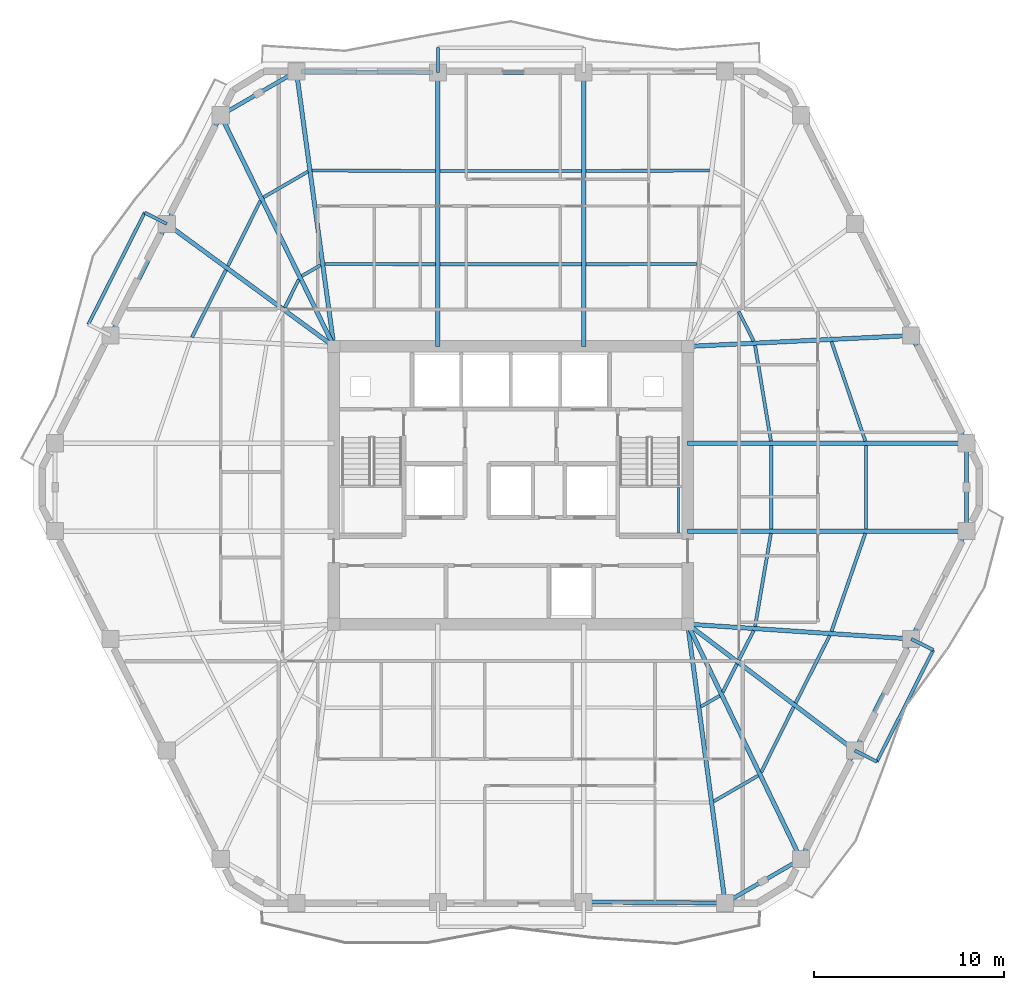
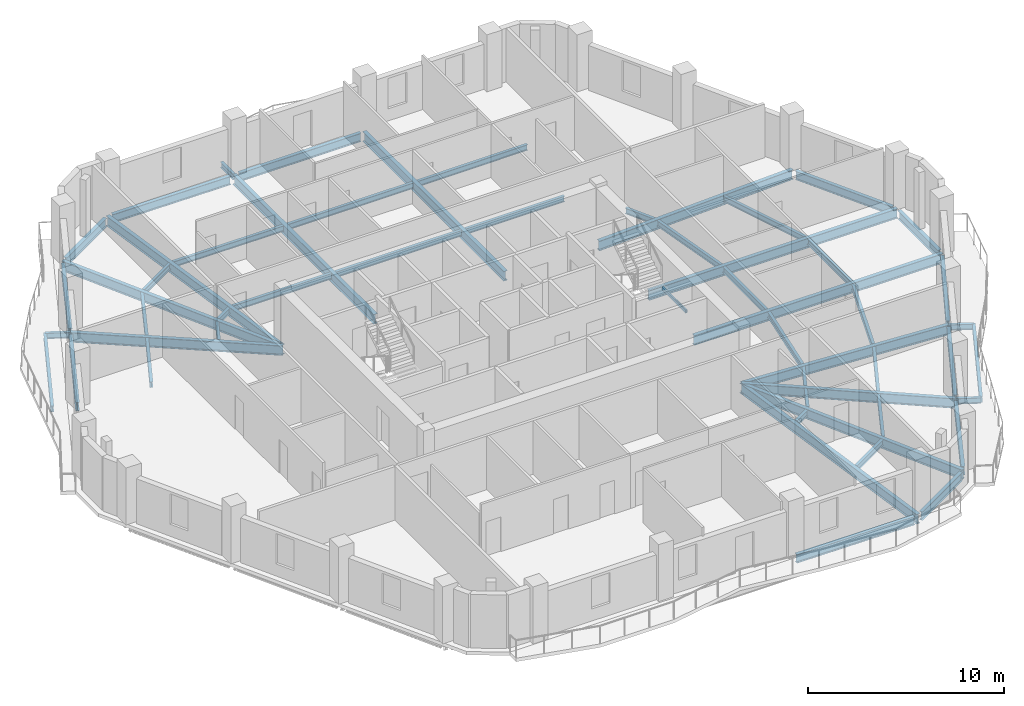
# One storey, part 2 of 10: 55 beams.
"""IFC4 building model written with IfcOpenShell, lengths in metres."""

import ifcopenshell
import ifcopenshell.guid

model = None  # the IFC model being written
_history = None  # IfcOwnerHistory: only IFC2X3 demands one
_inside = {}  # id of a spatial element -> (the spatial element, [elements in it])
_under = {}  # id of a project, library or spatial element -> (it, [spatial elements below it])
_declared = {}  # id of a project -> (the project, [libraries it declares])
_typed = {}  # id of a type object -> (the type object, [elements of that type])
_made_of = {}  # id of a material, layer set ... -> (it, [elements and type objects made of it])


def new_model(schema):
    """Start an empty IFC model of exactly this schema.

    Asked for "IFC4X3", IfcOpenShell would pick the latest addendum, in which some entities
    have other attributes; the version numbers below select the first issue.
    IFC2X3 requires an IfcOwnerHistory on every rooted entity: one is made here for all.
    """
    global model, _history
    if schema == "IFC4X3":
        model = ifcopenshell.file(schema_version=(4, 3, 0, 0))
    else:
        model = ifcopenshell.file(schema=schema)
    _inside.clear()
    _under.clear()
    _declared.clear()
    _typed.clear()
    _made_of.clear()
    _history = None
    if model.schema == "IFC2X3":
        org = make("IfcOrganization", Name="unknown")
        user = make(
            "IfcPersonAndOrganization",
            ThePerson=make("IfcPerson", FamilyName="unknown"),
            TheOrganization=org,
        )
        app = make(
            "IfcApplication",
            ApplicationDeveloper=org,
            Version="unknown",
            ApplicationFullName="unknown",
            ApplicationIdentifier="unknown",
        )
        _history = make(
            "IfcOwnerHistory",
            OwningUser=user,
            OwningApplication=app,
            ChangeAction="ADDED",
            CreationDate=0,
        )
    return model


def make(cls, **values):
    """One entity of the class cls with the attributes given. An attribute that is None is left unset."""
    return model.create_entity(
        cls, **{name: value for name, value in values.items() if value is not None}
    )


def rooted(cls, **values):
    """An entity with a GlobalId (a new one), such as an element, a storey or a relation."""
    return make(cls, GlobalId=ifcopenshell.guid.new(), OwnerHistory=_history, **values)


def si_unit(unit_type, name, prefix=None):
    """IfcSIUnit, for example si_unit("LENGTHUNIT", "METRE", prefix="MILLI")."""
    return make("IfcSIUnit", UnitType=unit_type, Prefix=prefix, Name=name)


def assignment(units):
    """IfcUnitAssignment: the units of a project."""
    return None if units is None else make("IfcUnitAssignment", Units=units)


def point(xyz):
    """IfcCartesianPoint."""
    return None if xyz is None else make("IfcCartesianPoint", Coordinates=xyz)


def direction(xyz):
    """IfcDirection."""
    return None if xyz is None else make("IfcDirection", DirectionRatios=xyz)


def frame(location, z_axis=None, x_axis=None):
    """IfcAxis2Placement3D, a coordinate frame: its origin and axes. An axis left out is left unset."""
    return make(
        "IfcAxis2Placement3D",
        Location=point(location),
        Axis=direction(z_axis),
        RefDirection=direction(x_axis),
    )


def frame_2d(location, x_axis=None):
    """IfcAxis2Placement2D, a coordinate frame in the plane: its origin and x axis."""
    return make(
        "IfcAxis2Placement2D", Location=point(location), RefDirection=direction(x_axis)
    )


def origin():
    """The frame at (0, 0, 0) with its axes left unset."""
    return frame((0.0, 0.0, 0.0))


def origin_2d():
    """The frame at (0, 0) in the plane with its x axis left unset."""
    return frame_2d((0.0, 0.0))


def place(relative_to, where):
    """IfcLocalPlacement: puts the frame where relative to a parent placement (None: the world)."""
    return make(
        "IfcLocalPlacement", PlacementRelTo=relative_to, RelativePlacement=where
    )


def context(
    kind, dimensions, precision=None, world=None, true_north=None, identifier=None
):
    """IfcGeometricRepresentationContext, for example the 3D "Model" context."""
    return make(
        "IfcGeometricRepresentationContext",
        ContextIdentifier=identifier,
        ContextType=kind,
        CoordinateSpaceDimension=dimensions,
        Precision=precision,
        WorldCoordinateSystem=world,
        TrueNorth=true_north,
    )


def subcontext(parent, identifier, kind, view, scale=None):
    """IfcGeometricRepresentationSubContext, for example "Body" below "Model"."""
    return make(
        "IfcGeometricRepresentationSubContext",
        ContextIdentifier=identifier,
        ContextType=kind,
        ParentContext=parent,
        TargetScale=scale,
        TargetView=view,
    )


def project(units=None, contexts=None):
    """IfcProject with its units and contexts."""
    return rooted(
        "IfcProject",
        Name="project",
        RepresentationContexts=contexts,
        UnitsInContext=assignment(units),
    )


def spatial(cls, under=None, at=None, **own):
    """A site, building, storey or space (cls), placed at a placement, below another one or the project."""
    s = rooted(cls, ObjectPlacement=at, **own)
    if under is not None:
        _under.setdefault(under.id(), (under, []))[1].append(s)
    return s


def profile(cls, at=None, kind="AREA", **sizes):
    """A parametric profile (cls). Its sizes go by their IFC names, for example OverallWidth=200.0."""
    return make(cls, ProfileType=kind, Position=at, **sizes)


def hollow_rectangle(**sizes):
    """IfcRectangleHollowProfileDef."""
    return profile("IfcRectangleHollowProfileDef", **sizes)


def i_section(**sizes):
    """IfcIShapeProfileDef."""
    return profile("IfcIShapeProfileDef", **sizes)


def extrude(swept, where, along, depth):
    """IfcExtrudedAreaSolid: the profile swept, set in the frame where, extruded along a direction by depth."""
    return make(
        "IfcExtrudedAreaSolid",
        SweptArea=swept,
        Position=where,
        ExtrudedDirection=direction(along),
        Depth=depth,
    )


def shape(context_of_items, identifier, shape_type, items):
    """IfcShapeRepresentation: the items that make up one representation, for example the "Body"."""
    return make(
        "IfcShapeRepresentation",
        ContextOfItems=context_of_items,
        RepresentationIdentifier=identifier,
        RepresentationType=shape_type,
        Items=items,
    )


def material(Name=None, Category=None):
    """IfcMaterial."""
    return make("IfcMaterial", Name=Name, Category=Category)


def material_profile(
    of_material, cross_section, Name=None, Category=None, Priority=None
):
    """IfcMaterialProfile: a cross section and its material."""
    return make(
        "IfcMaterialProfile",
        Name=Name,
        Material=of_material,
        Profile=cross_section,
        Priority=Priority,
        Category=Category,
    )


def profile_set(profiles, Name=None, composite=None):
    """IfcMaterialProfileSet."""
    return make(
        "IfcMaterialProfileSet",
        Name=Name,
        MaterialProfiles=profiles,
        CompositeProfile=composite,
    )


def made_of(thing, what):
    """Note that an element or type object is made of a material, layer set ...; save() writes the relation."""
    if what is not None:
        _made_of.setdefault(what.id(), (what, []))[1].append(thing)
    return thing


def type_object(cls, material=None, **own):
    """A type object (cls), such as IfcWallType, which elements share."""
    return made_of(rooted(cls, **own), material)


def element(
    cls,
    number,
    at=None,
    inside=None,
    cuts=None,
    type_object=None,
    material=None,
    context=None,
    identifier="Body",
    shape_type=None,
    held_by="IfcProductDefinitionShape",
    body=None,
    shapes=None,
    **own,
):
    """One element of the class cls, such as IfcWall. Its Tag is "e" and its number.

    at: its placement. inside: the storey or other place that contains it. cuts: it is an
    opening in that element (IfcRelVoidsElement). A single representation is given by context,
    identifier, shape_type and body (its items); several are given by shapes. held_by: the class
    of the entity that holds the representations. save() writes the other relations.
    """
    e = rooted(cls, Tag="e%d" % number, ObjectPlacement=at, **own)
    if body is not None:
        shapes = [shape(context, identifier, shape_type, body)]
    if shapes is not None:
        e.Representation = make(held_by, Representations=shapes)
    if inside is not None:
        _inside.setdefault(inside.id(), (inside, []))[1].append(e)
    if cuts is not None:
        rooted(
            "IfcRelVoidsElement", RelatingBuildingElement=cuts, RelatedOpeningElement=e
        )
    if type_object is not None:
        _typed.setdefault(type_object.id(), (type_object, []))[1].append(e)
    return made_of(e, material)


def aggregate(whole, parts):
    """IfcRelAggregates: a whole, such as a stair, and the parts it consists of."""
    return rooted("IfcRelAggregates", RelatingObject=whole, RelatedObjects=parts)


def save(model, path):
    """Write the relations noted so far, then the file.

    IfcRelAggregates (storeys below a building ...), IfcRelContainedInSpatialStructure (elements
    in a storey), IfcRelDefinesByType, IfcRelAssociatesMaterial and IfcRelDeclares: one each for
    every whole, place, type object, material and project.
    """
    for whole, parts in _under.values():
        aggregate(whole, parts)
    for where, things in _inside.values():
        rooted(
            "IfcRelContainedInSpatialStructure",
            RelatedElements=things,
            RelatingStructure=where,
        )
    for kind, things in _typed.values():
        rooted("IfcRelDefinesByType", RelatedObjects=things, RelatingType=kind)
    for what, things in _made_of.values():
        rooted("IfcRelAssociatesMaterial", RelatedObjects=things, RelatingMaterial=what)
    for by, libraries in _declared.values():
        rooted("IfcRelDeclares", RelatingContext=by, RelatedDefinitions=libraries)
    model.write(path)


model = new_model("IFC4")

# Units and contexts
model_context = context("Model", 3, precision=1e-05, world=origin(), true_north=direction((0.0, 1.0)))
body_context = subcontext(model_context, "Body", "Model", "MODEL_VIEW")
ifc_project = project(units=[si_unit("LENGTHUNIT", "METRE"), si_unit("AREAUNIT", "SQUARE_METRE"), si_unit("VOLUMEUNIT", "CUBIC_METRE"), si_unit("PLANEANGLEUNIT", "RADIAN"), si_unit("MASSUNIT", "GRAM", prefix="KILO")], contexts=[model_context])

# Site, building, storey
site_placement = place(None, origin())
site = spatial("IfcSite", under=ifc_project, at=site_placement, CompositionType="ELEMENT")
building_placement = place(site_placement, origin())
building = spatial("IfcBuilding", under=site, at=building_placement, Name="Cinnabar Lancet Tower", CompositionType="ELEMENT")
storey_placement = place(building_placement, frame((0.0, 0.0, 160.60009765625)))
storey = spatial("IfcBuildingStorey", under=building, at=storey_placement, Name="L42", CompositionType="ELEMENT", Elevation=160.60009765625)

# Beams
ifc_material_1 = material(Name="Structural steel S355", Category="steel")
ifc_material_profile_1 = material_profile(ifc_material_1, i_section(OverallWidth=0.17138671875, OverallDepth=0.35498046875, WebThickness=0.00732421875, FlangeThickness=0.011474609375, FilletRadius=0.01025390625, at=origin_2d()), Name="UKB 356x171x51")
ifc_profile_set_1 = profile_set([ifc_material_profile_1], Name="Structural steel S355")
beam_type_1 = type_object("IfcBeamType", Name="STR-BM-JST-356", PredefinedType="JOIST", material=ifc_profile_set_1)
beam_1_placement = place(storey_placement, frame((43.06689453125, 9.279052734375, -0.38818359375), z_axis=(0.865172906898, 0.501473669469, 0.0), x_axis=(-0.501473669469, 0.865172906898, 0.0)))
element("IfcBeam", 1, at=beam_1_placement, inside=storey, type_object=beam_type_1, Name="L42 Secondary Floor Joist 15", PredefinedType="JOIST", context=body_context, shape_type="SweptSolid", body=[
    extrude(i_section(OverallWidth=0.17138671875, OverallDepth=0.35498046875, WebThickness=0.00732421875, FlangeThickness=0.011474609375, FilletRadius=0.01025390625, at=origin_2d()), origin(), (0.0, 0.0, 1.0), 2.705810546875),
])
beam_2_placement = place(storey_placement, frame((42.39794921875, 14.263916015625, -0.38818359375), z_axis=(0.865426285481, 0.501036270542, 0.0), x_axis=(-0.501036270542, 0.865426285481, 0.0)))
element("IfcBeam", 2, at=beam_2_placement, inside=storey, type_object=beam_type_1, Name="L42 Secondary Floor Joist 16", PredefinedType="JOIST", context=body_context, shape_type="SweptSolid", body=[
    extrude(i_section(OverallWidth=0.17138671875, OverallDepth=0.35498046875, WebThickness=0.00732421875, FlangeThickness=0.011474609375, FilletRadius=0.01025390625, at=origin_2d()), origin(), (0.0, 0.0, 1.0), 1.1416015625),
])
beam_3_placement = place(storey_placement, frame((45.572021484375, 10.822998046875, -0.38818359375), z_axis=(0.445320605596, 0.895371184611, 0.0), x_axis=(-0.895371184611, 0.445320605596, 0.0)))
element("IfcBeam", 3, at=beam_3_placement, inside=storey, type_object=beam_type_1, Name="L42 Secondary Floor Joist 17", PredefinedType="JOIST", context=body_context, shape_type="SweptSolid", body=[
    extrude(i_section(OverallWidth=0.17138671875, OverallDepth=0.35498046875, WebThickness=0.00732421875, FlangeThickness=0.011474609375, FilletRadius=0.01025390625, at=origin_2d()), origin(), (0.0, 0.0, 1.0), 3.819580078125),
])
beam_4_placement = place(storey_placement, frame((43.549072265625, 15.02294921875, -0.38818359375), z_axis=(0.445203586036, 0.895429375764, 0.0), x_axis=(-0.895429375764, 0.445203586036, 0.0)))
element("IfcBeam", 4, at=beam_4_placement, inside=storey, type_object=beam_type_1, Name="L42 Secondary Floor Joist 18", PredefinedType="JOIST", context=body_context, shape_type="SweptSolid", body=[
    extrude(i_section(OverallWidth=0.17138671875, OverallDepth=0.35498046875, WebThickness=0.00732421875, FlangeThickness=0.011474609375, FilletRadius=0.01025390625, at=origin_2d()), origin(), (0.0, 0.0, 1.0), 1.65283203125),
])
beam_5_placement = place(storey_placement, frame((47.376953125, 14.450927734375, -0.38818359375), z_axis=(0.450656035687, 0.892697674187, 0.0), x_axis=(-0.892697674187, 0.450656035687, 0.0)))
element("IfcBeam", 5, at=beam_5_placement, inside=storey, type_object=beam_type_1, Name="L42 Secondary Floor Joist 19", PredefinedType="JOIST", context=body_context, shape_type="SweptSolid", body=[
    extrude(i_section(OverallWidth=0.17138671875, OverallDepth=0.35498046875, WebThickness=0.00732421875, FlangeThickness=0.011474609375, FilletRadius=0.01025390625, at=origin_2d()), origin(), (0.0, 0.0, 1.0), 3.9677734375),
])
beam_6_placement = place(storey_placement, frame((44.388916015625, 16.7099609375, -0.38818359375), z_axis=(0.45064755491, 0.892701955444, 0.0), x_axis=(-0.892701955444, 0.45064755491, 0.0)))
element("IfcBeam", 6, at=beam_6_placement, inside=storey, type_object=beam_type_1, Name="L42 Secondary Floor Joist 20", PredefinedType="JOIST", context=body_context, shape_type="SweptSolid", body=[
    extrude(i_section(OverallWidth=0.17138671875, OverallDepth=0.35498046875, WebThickness=0.00732421875, FlangeThickness=0.011474609375, FilletRadius=0.01025390625, at=origin_2d()), origin(), (0.0, 0.0, 1.0), 1.733154296875),
])
beam_7_placement = place(storey_placement, frame((49.260009765625, 18.215087890625, -0.38818359375), z_axis=(0.326162915393, 0.945313573701, 0.0), x_axis=(-0.945313573701, 0.326162915393, 0.0)))
element("IfcBeam", 7, at=beam_7_placement, inside=storey, type_object=beam_type_1, Name="L42 Secondary Floor Joist 21", PredefinedType="JOIST", context=body_context, shape_type="SweptSolid", body=[
    extrude(i_section(OverallWidth=0.17138671875, OverallDepth=0.35498046875, WebThickness=0.00732421875, FlangeThickness=0.011474609375, FilletRadius=0.01025390625, at=origin_2d()), origin(), (0.0, 0.0, 1.0), 5.46044921875),
])
beam_8_placement = place(storey_placement, frame((45.2451171875, 18.47998046875, -0.38818359375), z_axis=(0.167649950638, 0.985846587483, 0.0), x_axis=(-0.985846587483, 0.167649950638, 0.0)))
element("IfcBeam", 8, at=beam_8_placement, inside=storey, type_object=beam_type_1, Name="L42 Secondary Floor Joist 22", PredefinedType="JOIST", context=body_context, shape_type="SweptSolid", body=[
    extrude(i_section(OverallWidth=0.17138671875, OverallDepth=0.35498046875, WebThickness=0.00732421875, FlangeThickness=0.011474609375, FilletRadius=0.01025390625, at=origin_2d()), origin(), (0.0, 0.0, 1.0), 4.96728515625),
])
for number, where, z_axis, x_axis, name in (
    (9, (51.080078125, 23.60498046875, -0.38818359375), (0.0, 1.0, 0.0), (-1.0, 0.0, 0.0), "L42 Secondary Floor Joist 23"),
    (10, (46.096923828125, 23.60498046875, -0.38818359375), (0.0, 1.0, 0.0), (-1.0, 0.0, 0.0), "L42 Secondary Floor Joist 24"),
):
    element("IfcBeam", number, at=place(storey_placement, frame(where, z_axis=z_axis, x_axis=x_axis)), inside=storey, type_object=beam_type_1, Name=name, PredefinedType="JOIST", context=body_context, shape_type="SweptSolid", body=[
        extrude(i_section(OverallWidth=0.17138671875, OverallDepth=0.35498046875, WebThickness=0.00732421875, FlangeThickness=0.011474609375, FilletRadius=0.01025390625, at=origin_2d()), origin(), (0.0, 0.0, 1.0), 4.39013671875),
    ])
beam_9_placement = place(storey_placement, frame((51.0419921875, 28.222900390625, -0.38818359375), z_axis=(-0.322342106762, 0.946623244067, 0.0), x_axis=(-0.946623244067, -0.322342106762, 0.0)))
element("IfcBeam", 11, at=beam_9_placement, inside=storey, type_object=beam_type_1, Name="L42 Secondary Floor Joist 25", PredefinedType="JOIST", context=body_context, shape_type="SweptSolid", body=[
    extrude(i_section(OverallWidth=0.17138671875, OverallDepth=0.35498046875, WebThickness=0.00732421875, FlangeThickness=0.011474609375, FilletRadius=0.01025390625, at=origin_2d()), origin(), (0.0, 0.0, 1.0), 5.5283203125),
])
beam_10_placement = place(storey_placement, frame((46.077880859375, 28.222900390625, -0.38818359375), z_axis=(-0.163375154205, 0.98656401667, 0.0), x_axis=(-0.98656401667, -0.163375154205, 0.0)))
element("IfcBeam", 12, at=beam_10_placement, inside=storey, type_object=beam_type_1, Name="L42 Secondary Floor Joist 26", PredefinedType="JOIST", context=body_context, shape_type="SweptSolid", body=[
    extrude(i_section(OverallWidth=0.17138671875, OverallDepth=0.35498046875, WebThickness=0.00732421875, FlangeThickness=0.011474609375, FilletRadius=0.01025390625, at=origin_2d()), origin(), (0.0, 0.0, 1.0), 5.104736328125),
])
beam_11_placement = place(storey_placement, frame((45.1689453125, 33.48388671875, -0.38818359375), z_axis=(-0.450425008213, 0.892814265106, 0.0), x_axis=(-0.892814265106, -0.450425008213, 0.0)))
element("IfcBeam", 13, at=beam_11_placement, inside=storey, type_object=beam_type_1, Name="L42 Secondary Floor Joist 28", PredefinedType="JOIST", context=body_context, shape_type="SweptSolid", body=[
    extrude(i_section(OverallWidth=0.17138671875, OverallDepth=0.35498046875, WebThickness=0.00732421875, FlangeThickness=0.011474609375, FilletRadius=0.01025390625, at=origin_2d()), origin(), (0.0, 0.0, 1.0), 1.731689453125),
])
beam_12_placement = place(storey_placement, frame((42.844970703125, 42.4541015625, -0.38818359375), z_axis=(-0.999987891549, -0.004921052359, 0.0), x_axis=(0.004921052359, -0.999987891549, 0.0)))
element("IfcBeam", 14, at=beam_12_placement, inside=storey, type_object=beam_type_1, Name="L42 Secondary Floor Joist 33", PredefinedType="JOIST", context=body_context, shape_type="SweptSolid", body=[
    extrude(i_section(OverallWidth=0.17138671875, OverallDepth=0.35498046875, WebThickness=0.00732421875, FlangeThickness=0.011474609375, FilletRadius=0.01025390625, at=origin_2d()), origin(), (0.0, 0.0, 1.0), 6.4990234375),
])
beam_13_placement = place(storey_placement, frame((42.176025390625, 37.5380859375, -0.38818359375), z_axis=(-0.999996629591, -0.002596306157, 0.0), x_axis=(0.002596306157, -0.999996629591, 0.0)))
element("IfcBeam", 15, at=beam_13_placement, inside=storey, type_object=beam_type_1, Name="L42 Secondary Floor Joist 34", PredefinedType="JOIST", context=body_context, shape_type="SweptSolid", body=[
    extrude(i_section(OverallWidth=0.17138671875, OverallDepth=0.35498046875, WebThickness=0.00732421875, FlangeThickness=0.011474609375, FilletRadius=0.01025390625, at=origin_2d()), origin(), (0.0, 0.0, 1.0), 5.830078125),
])
for number, where, z_axis, x_axis, name in (
    (16, (36.117919921875, 42.4208984375, -0.38818359375), (-1.0, 0.0, 0.0), (0.0, -1.0, 0.0), "L42 Secondary Floor Joist 35"),
    (17, (36.117919921875, 37.52197265625, -0.38818359375), (-1.0, 0.0, 0.0), (0.0, -1.0, 0.0), "L42 Secondary Floor Joist 36"),
):
    element("IfcBeam", number, at=place(storey_placement, frame(where, z_axis=z_axis, x_axis=x_axis)), inside=storey, type_object=beam_type_1, Name=name, PredefinedType="JOIST", context=body_context, shape_type="SweptSolid", body=[
        extrude(i_section(OverallWidth=0.17138671875, OverallDepth=0.35498046875, WebThickness=0.00732421875, FlangeThickness=0.011474609375, FilletRadius=0.01025390625, at=origin_2d()), origin(), (0.0, 0.0, 1.0), 7.43603515625),
    ])
beam_14_placement = place(storey_placement, frame((28.4541015625, 42.422119140625, -0.38818359375), z_axis=(-0.999987891549, 0.004921052359, 0.0), x_axis=(-0.004921052359, -0.999987891549, 0.0)))
element("IfcBeam", 18, at=beam_14_placement, inside=storey, type_object=beam_type_1, Name="L42 Secondary Floor Joist 37", PredefinedType="JOIST", context=body_context, shape_type="SweptSolid", body=[
    extrude(i_section(OverallWidth=0.17138671875, OverallDepth=0.35498046875, WebThickness=0.00732421875, FlangeThickness=0.011474609375, FilletRadius=0.01025390625, at=origin_2d()), origin(), (0.0, 0.0, 1.0), 6.4990234375),
])
beam_15_placement = place(storey_placement, frame((28.4541015625, 37.52294921875, -0.38818359375), z_axis=(-0.999996629591, 0.002596306157, 0.0), x_axis=(-0.002596306157, -0.999996629591, 0.0)))
element("IfcBeam", 19, at=beam_15_placement, inside=storey, type_object=beam_type_1, Name="L42 Secondary Floor Joist 38", PredefinedType="JOIST", context=body_context, shape_type="SweptSolid", body=[
    extrude(i_section(OverallWidth=0.17138671875, OverallDepth=0.35498046875, WebThickness=0.00732421875, FlangeThickness=0.011474609375, FilletRadius=0.01025390625, at=origin_2d()), origin(), (0.0, 0.0, 1.0), 5.830078125),
])
beam_16_placement = place(storey_placement, frame((21.73291015625, 42.39306640625, -0.38818359375), z_axis=(-0.865111063351, -0.50158035056, 0.0), x_axis=(0.50158035056, -0.865111063351, 0.0)))
element("IfcBeam", 20, at=beam_16_placement, inside=storey, type_object=beam_type_1, Name="L42 Secondary Floor Joist 39", PredefinedType="JOIST", context=body_context, shape_type="SweptSolid", body=[
    extrude(i_section(OverallWidth=0.17138671875, OverallDepth=0.35498046875, WebThickness=0.00732421875, FlangeThickness=0.011474609375, FilletRadius=0.01025390625, at=origin_2d()), origin(), (0.0, 0.0, 1.0), 2.705810546875),
])
beam_17_placement = place(storey_placement, frame((22.403076171875, 37.47607421875, -0.38818359375), z_axis=(-0.865640778484, -0.500665599602, 0.0), x_axis=(0.500665599602, -0.865640778484, 0.0)))
element("IfcBeam", 21, at=beam_17_placement, inside=storey, type_object=beam_type_1, Name="L42 Secondary Floor Joist 40", PredefinedType="JOIST", context=body_context, shape_type="SweptSolid", body=[
    extrude(i_section(OverallWidth=0.17138671875, OverallDepth=0.35498046875, WebThickness=0.00732421875, FlangeThickness=0.011474609375, FilletRadius=0.01025390625, at=origin_2d()), origin(), (0.0, 0.0, 1.0), 1.142578125),
])
beam_18_placement = place(storey_placement, frame((19.22900390625, 40.85009765625, -0.38818359375), z_axis=(-0.4452962175, -0.895383313827, 0.0), x_axis=(0.895383313827, -0.4452962175, 0.0)))
element("IfcBeam", 22, at=beam_18_placement, inside=storey, type_object=beam_type_1, Name="L42 Secondary Floor Joist 41", PredefinedType="JOIST", context=body_context, shape_type="SweptSolid", body=[
    extrude(i_section(OverallWidth=0.17138671875, OverallDepth=0.35498046875, WebThickness=0.00732421875, FlangeThickness=0.011474609375, FilletRadius=0.01025390625, at=origin_2d()), origin(), (0.0, 0.0, 1.0), 3.822021484375),
])
beam_19_placement = place(storey_placement, frame((21.2509765625, 36.717041015625, -0.38818359375), z_axis=(-0.445322008813, -0.895370486708, 0.0), x_axis=(0.895370486708, -0.445322008813, 0.0)))
element("IfcBeam", 23, at=beam_19_placement, inside=storey, type_object=beam_type_1, Name="L42 Secondary Floor Joist 42", PredefinedType="JOIST", context=body_context, shape_type="SweptSolid", body=[
    extrude(i_section(OverallWidth=0.17138671875, OverallDepth=0.35498046875, WebThickness=0.00732421875, FlangeThickness=0.011474609375, FilletRadius=0.01025390625, at=origin_2d()), origin(), (0.0, 0.0, 1.0), 1.65283203125),
])
beam_20_placement = place(storey_placement, frame((17.423095703125, 37.221923828125, -0.38818359375), z_axis=(-0.450656035687, -0.892697674187, 0.0), x_axis=(0.892697674187, -0.450656035687, 0.0)))
element("IfcBeam", 24, at=beam_20_placement, inside=storey, type_object=beam_type_1, Name="L42 Secondary Floor Joist 43", PredefinedType="JOIST", context=body_context, shape_type="SweptSolid", body=[
    extrude(i_section(OverallWidth=0.17138671875, OverallDepth=0.35498046875, WebThickness=0.00732421875, FlangeThickness=0.011474609375, FilletRadius=0.01025390625, at=origin_2d()), origin(), (0.0, 0.0, 1.0), 3.9677734375),
])
ifc_material_2 = material(Name="Structural steel S355", Category="steel")
ifc_material_profile_2 = material_profile(ifc_material_2, hollow_rectangle(XDim=0.10009765625, YDim=0.199951171875, WallThickness=0.008056640625, InnerFilletRadius=0.00390625, OuterFilletRadius=0.011962890625, at=origin_2d()), Name="RHS 200x100x8")
ifc_profile_set_2 = profile_set([ifc_material_profile_2], Name="Structural steel S355")
beam_type_2 = type_object("IfcBeamType", Name="STR-BM-LND-203", PredefinedType="BEAM", material=ifc_profile_set_2)
beam_21_placement = place(storey_placement, frame((41.219970703125, 23.3798828125, 1.474853515625), z_axis=(0.0, 1.0, 0.0), x_axis=(-1.0, 0.0, 0.0)))
element("IfcBeam", 25, at=beam_21_placement, inside=storey, type_object=beam_type_2, Name="L42 ST-2-L42 Landing Side Trimmer Beam", PredefinedType="BEAM", context=body_context, shape_type="SweptSolid", body=[
    extrude(hollow_rectangle(XDim=0.10009765625, YDim=0.199951171875, WallThickness=0.008056640625, InnerFilletRadius=0.00390625, OuterFilletRadius=0.011962890625, at=origin_2d()), origin(), (0.0, 0.0, 1.0), 2.4150390625),
])
ifc_material_3 = material(Name="Structural steel S355", Category="steel")
ifc_material_profile_3 = material_profile(ifc_material_3, i_section(OverallWidth=0.209228515625, OverallDepth=0.533203125, WebThickness=0.010009765625, FlangeThickness=0.015625, FilletRadius=0.0126953125, at=origin_2d()), Name="UKB 533x210x92")
ifc_profile_set_3 = profile_set([ifc_material_profile_3], Name="Structural steel S355")
beam_type_3 = type_object("IfcBeamType", Name="STR-BM-SPN-533", PredefinedType="SPANDREL", material=ifc_profile_set_3)
beam_22_placement = place(storey_placement, frame((36.48193359375, 3.989990234375, -0.47705078125), z_axis=(0.999974980359, -0.007073800628, 0.0), x_axis=(0.007073800628, 0.999974980359, 0.0)))
element("IfcBeam", 26, at=beam_22_placement, inside=storey, type_object=beam_type_3, Name="L42 Perimeter Spandrel 3", PredefinedType="SPANDREL", context=body_context, shape_type="SweptSolid", body=[
    extrude(i_section(OverallWidth=0.209228515625, OverallDepth=0.533203125, WebThickness=0.010009765625, FlangeThickness=0.015625, FilletRadius=0.0126953125, at=origin_2d()), origin(), (0.0, 0.0, 1.0), 6.937255859375),
])
beam_23_placement = place(storey_placement, frame((43.885009765625, 4.06396484375, -0.47705078125), z_axis=(0.865112299906, 0.501578217781, 0.0), x_axis=(-0.501578217781, 0.865112299906, 0.0)))
element("IfcBeam", 27, at=beam_23_placement, inside=storey, type_object=beam_type_3, Name="L42 Perimeter Spandrel 4", PredefinedType="SPANDREL", context=body_context, shape_type="SweptSolid", body=[
    extrude(i_section(OverallWidth=0.209228515625, OverallDepth=0.533203125, WebThickness=0.010009765625, FlangeThickness=0.015625, FilletRadius=0.0126953125, at=origin_2d()), origin(), (0.0, 0.0, 1.0), 4.101318359375),
])
beam_24_placement = place(storey_placement, frame((47.760009765625, 6.469970703125, -0.47705078125), z_axis=(0.445501068635, 0.89528140707, 0.0), x_axis=(-0.89528140707, 0.445501068635, 0.0)))
element("IfcBeam", 28, at=beam_24_placement, inside=storey, type_object=beam_type_3, Name="L42 Perimeter Spandrel 5", PredefinedType="SPANDREL", context=body_context, shape_type="SweptSolid", body=[
    extrude(i_section(OverallWidth=0.209228515625, OverallDepth=0.533203125, WebThickness=0.010009765625, FlangeThickness=0.015625, FilletRadius=0.0126953125, at=origin_2d()), origin(), (0.0, 0.0, 1.0), 5.87646484375),
])
beam_25_placement = place(storey_placement, frame((50.60205078125, 12.177978515625, -0.47705078125), z_axis=(0.450570325924, 0.892740937449, 0.0), x_axis=(-0.892740937449, 0.450570325924, 0.0)))
element("IfcBeam", 29, at=beam_25_placement, inside=storey, type_object=beam_type_3, Name="L42 Perimeter Spandrel 6", PredefinedType="SPANDREL", context=body_context, shape_type="SweptSolid", body=[
    extrude(i_section(OverallWidth=0.209228515625, OverallDepth=0.533203125, WebThickness=0.010009765625, FlangeThickness=0.015625, FilletRadius=0.0126953125, at=origin_2d()), origin(), (0.0, 0.0, 1.0), 6.07470703125),
])
beam_26_placement = place(storey_placement, frame((53.56591796875, 18.0458984375, -0.47705078125), z_axis=(0.456109733574, 0.889923542187, 0.0), x_axis=(-0.889923542187, 0.456109733574, 0.0)))
element("IfcBeam", 30, at=beam_26_placement, inside=storey, type_object=beam_type_3, Name="L42 Perimeter Spandrel 7", PredefinedType="SPANDREL", context=body_context, shape_type="SweptSolid", body=[
    extrude(i_section(OverallWidth=0.209228515625, OverallDepth=0.533203125, WebThickness=0.010009765625, FlangeThickness=0.015625, FilletRadius=0.0126953125, at=origin_2d()), origin(), (0.0, 0.0, 1.0), 5.869140625),
])
beam_27_placement = place(storey_placement, frame((56.35693359375, 23.740966796875, -0.47705078125), z_axis=(0.0, 1.0, 0.0), x_axis=(-1.0, 0.0, 0.0)))
element("IfcBeam", 31, at=beam_27_placement, inside=storey, type_object=beam_type_3, Name="L42 Perimeter Spandrel 8", PredefinedType="SPANDREL", context=body_context, shape_type="SweptSolid", body=[
    extrude(i_section(OverallWidth=0.209228515625, OverallDepth=0.533203125, WebThickness=0.010009765625, FlangeThickness=0.015625, FilletRadius=0.0126953125, at=origin_2d()), origin(), (0.0, 0.0, 1.0), 4.117919921875),
])
beam_28_placement = place(storey_placement, frame((56.242919921875, 28.3310546875, -0.47705078125), z_axis=(-0.456126618405, 0.889914888055, 0.0), x_axis=(-0.889914888055, -0.456126618405, 0.0)))
element("IfcBeam", 32, at=beam_28_placement, inside=storey, type_object=beam_type_3, Name="L42 Perimeter Spandrel 9", PredefinedType="SPANDREL", context=body_context, shape_type="SweptSolid", body=[
    extrude(i_section(OverallWidth=0.209228515625, OverallDepth=0.533203125, WebThickness=0.010009765625, FlangeThickness=0.015625, FilletRadius=0.0126953125, at=origin_2d()), origin(), (0.0, 0.0, 1.0), 5.868896484375),
])
beam_29_placement = place(storey_placement, frame((35.98193359375, 47.60791015625, -0.47705078125), z_axis=(-1.0, 0.0, 0.0), x_axis=(0.0, -1.0, 0.0)))
element("IfcBeam", 33, at=beam_29_placement, inside=storey, type_object=beam_type_3, Name="L42 Perimeter Spandrel 14", PredefinedType="SPANDREL", context=body_context, shape_type="SweptSolid", body=[
    extrude(i_section(OverallWidth=0.209228515625, OverallDepth=0.533203125, WebThickness=0.010009765625, FlangeThickness=0.015625, FilletRadius=0.0126953125, at=origin_2d()), origin(), (0.0, 0.0, 1.0), 7.163818359375),
])
beam_30_placement = place(storey_placement, frame((28.318115234375, 47.610107421875, -0.47705078125), z_axis=(-0.999975228682, 0.007038609338, 0.0), x_axis=(-0.007038609338, -0.999975228682, 0.0)))
element("IfcBeam", 34, at=beam_30_placement, inside=storey, type_object=beam_type_3, Name="L42 Perimeter Spandrel 15", PredefinedType="SPANDREL", context=body_context, shape_type="SweptSolid", body=[
    extrude(i_section(OverallWidth=0.209228515625, OverallDepth=0.533203125, WebThickness=0.010009765625, FlangeThickness=0.015625, FilletRadius=0.0126953125, at=origin_2d()), origin(), (0.0, 0.0, 1.0), 6.937255859375),
])
beam_31_placement = place(storey_placement, frame((20.9150390625, 47.535888671875, -0.47705078125), z_axis=(-0.865138129765, -0.5015336643, 0.0), x_axis=(0.5015336643, -0.865138129765, 0.0)))
element("IfcBeam", 35, at=beam_31_placement, inside=storey, type_object=beam_type_3, Name="L42 Perimeter Spandrel 16", PredefinedType="SPANDREL", context=body_context, shape_type="SweptSolid", body=[
    extrude(i_section(OverallWidth=0.209228515625, OverallDepth=0.533203125, WebThickness=0.010009765625, FlangeThickness=0.015625, FilletRadius=0.0126953125, at=origin_2d()), origin(), (0.0, 0.0, 1.0), 4.10107421875),
])
beam_32_placement = place(storey_placement, frame((17.0400390625, 45.1298828125, -0.47705078125), z_axis=(-0.445501068635, -0.89528140707, 0.0), x_axis=(0.89528140707, -0.445501068635, 0.0)))
element("IfcBeam", 36, at=beam_32_placement, inside=storey, type_object=beam_type_3, Name="L42 Perimeter Spandrel 17", PredefinedType="SPANDREL", context=body_context, shape_type="SweptSolid", body=[
    extrude(i_section(OverallWidth=0.209228515625, OverallDepth=0.533203125, WebThickness=0.010009765625, FlangeThickness=0.015625, FilletRadius=0.0126953125, at=origin_2d()), origin(), (0.0, 0.0, 1.0), 5.87646484375),
])
beam_33_placement = place(storey_placement, frame((14.197998046875, 39.422119140625, -0.47705078125), z_axis=(-0.450570325924, -0.892740937449, 0.0), x_axis=(0.892740937449, -0.450570325924, 0.0)))
element("IfcBeam", 37, at=beam_33_placement, inside=storey, type_object=beam_type_3, Name="L42 Perimeter Spandrel 18", PredefinedType="SPANDREL", context=body_context, shape_type="SweptSolid", body=[
    extrude(i_section(OverallWidth=0.209228515625, OverallDepth=0.533203125, WebThickness=0.010009765625, FlangeThickness=0.015625, FilletRadius=0.0126953125, at=origin_2d()), origin(), (0.0, 0.0, 1.0), 6.07470703125),
])
ifc_material_4 = material(Name="Structural steel S355", Category="steel")
ifc_material_profile_4 = material_profile(ifc_material_4, i_section(OverallWidth=0.228271484375, OverallDepth=0.607666015625, WebThickness=0.010986328125, FlangeThickness=0.017333984375, FilletRadius=0.0126953125, at=origin_2d()), Name="UKB 610x229x113")
ifc_profile_set_4 = profile_set([ifc_material_profile_4], Name="Structural steel S355")
beam_type_4 = type_object("IfcBeamType", Name="STR-BM-UKB610-113", PredefinedType="BEAM", material=ifc_profile_set_4)
beam_34_placement = place(storey_placement, frame((50.489013671875, 11.955078125, -0.51416015625), z_axis=(-0.797675450227, 0.603086955675, 0.0), x_axis=(-0.603086955675, -0.797675450227, 0.0)))
element("IfcBeam", 38, at=beam_34_placement, inside=storey, type_object=beam_type_4, Name="L42 Corner Collector Girder 2", PredefinedType="BEAM", context=body_context, shape_type="SweptSolid", body=[
    extrude(i_section(OverallWidth=0.228271484375, OverallDepth=0.607666015625, WebThickness=0.010986328125, FlangeThickness=0.017333984375, FilletRadius=0.0126953125, at=origin_2d()), origin(), (0.0, 0.0, 1.0), 11.018310546875),
])
beam_35_placement = place(storey_placement, frame((14.31103515625, 39.64501953125, -0.51416015625), z_axis=(0.806415678013, -0.591349096774, 0.0), x_axis=(0.591349096774, 0.806415678013, 0.0)))
element("IfcBeam", 39, at=beam_35_placement, inside=storey, type_object=beam_type_4, Name="L42 Corner Collector Girder 4", PredefinedType="BEAM", context=body_context, shape_type="SweptSolid", body=[
    extrude(i_section(OverallWidth=0.228271484375, OverallDepth=0.607666015625, WebThickness=0.010986328125, FlangeThickness=0.017333984375, FilletRadius=0.0126953125, at=origin_2d()), origin(), (0.0, 0.0, 1.0), 10.89892578125),
])
beam_36_placement = place(storey_placement, frame((43.6689453125, 3.93896484375, -0.51416015625), z_axis=(-0.133105256814, 0.991101907277, 0.0), x_axis=(-0.991101907277, -0.133105256814, 0.0)))
element("IfcBeam", 40, at=beam_36_placement, inside=storey, type_object=beam_type_4, Name="L42 Primary Floor Girder 4", PredefinedType="BEAM", context=body_context, shape_type="SweptSolid", body=[
    extrude(i_section(OverallWidth=0.228271484375, OverallDepth=0.607666015625, WebThickness=0.010986328125, FlangeThickness=0.017333984375, FilletRadius=0.0126953125, at=origin_2d()), origin(), (0.0, 0.0, 1.0), 14.792724609375),
])
beam_37_placement = place(storey_placement, frame((47.64892578125, 6.24609375, -0.51416015625), z_axis=(-0.433860052011, 0.900980274628, 0.0), x_axis=(-0.900980274628, -0.433860052011, 0.0)))
element("IfcBeam", 41, at=beam_37_placement, inside=storey, type_object=beam_type_4, Name="L42 Primary Floor Girder 5", PredefinedType="BEAM", context=body_context, shape_type="SweptSolid", body=[
    extrude(i_section(OverallWidth=0.228271484375, OverallDepth=0.607666015625, WebThickness=0.010986328125, FlangeThickness=0.017333984375, FilletRadius=0.0126953125, at=origin_2d()), origin(), (0.0, 0.0, 1.0), 13.711669921875),
])
beam_38_placement = place(storey_placement, frame((53.451904296875, 17.823974609375, -0.51416015625), z_axis=(-0.997826331825, 0.065898494035, 0.0), x_axis=(-0.065898494035, -0.997826331825, 0.0)))
element("IfcBeam", 42, at=beam_38_placement, inside=storey, type_object=beam_type_4, Name="L42 Primary Floor Girder 7", PredefinedType="BEAM", context=body_context, shape_type="SweptSolid", body=[
    extrude(i_section(OverallWidth=0.228271484375, OverallDepth=0.607666015625, WebThickness=0.010986328125, FlangeThickness=0.017333984375, FilletRadius=0.0126953125, at=origin_2d()), origin(), (0.0, 0.0, 1.0), 11.777587890625),
])
for number, where, z_axis, x_axis, name in (
    (43, (56.35693359375, 23.490966796875, -0.51416015625), (-1.0, 0.0, 0.0), (0.0, -1.0, 0.0), "L42 Primary Floor Girder 8"),
    (44, (56.35693359375, 28.10888671875, -0.51416015625), (-1.0, 0.0, 0.0), (0.0, -1.0, 0.0), "L42 Primary Floor Girder 9"),
):
    element("IfcBeam", number, at=place(storey_placement, frame(where, z_axis=z_axis, x_axis=x_axis)), inside=storey, type_object=beam_type_4, Name=name, PredefinedType="BEAM", context=body_context, shape_type="SweptSolid", body=[
        extrude(i_section(OverallWidth=0.228271484375, OverallDepth=0.607666015625, WebThickness=0.010986328125, FlangeThickness=0.017333984375, FilletRadius=0.0126953125, at=origin_2d()), origin(), (0.0, 0.0, 1.0), 14.656982421875),
    ])
beam_39_placement = place(storey_placement, frame((53.451904296875, 33.77587890625, -0.51416015625), z_axis=(-0.998801316657, -0.048948236372, 0.0), x_axis=(0.048948236372, -0.998801316657, 0.0)))
element("IfcBeam", 45, at=beam_39_placement, inside=storey, type_object=beam_type_4, Name="L42 Primary Floor Girder 10", PredefinedType="BEAM", context=body_context, shape_type="SweptSolid", body=[
    extrude(i_section(OverallWidth=0.228271484375, OverallDepth=0.607666015625, WebThickness=0.010986328125, FlangeThickness=0.017333984375, FilletRadius=0.0126953125, at=origin_2d()), origin(), (0.0, 0.0, 1.0), 11.76611328125),
])
for number, where, z_axis, x_axis, name in (
    (46, (36.23193359375, 47.60791015625, -0.51416015625), (0.0, -1.0, 0.0), (1.0, 0.0, 0.0), "L42 Primary Floor Girder 14"),
    (47, (28.568115234375, 47.60791015625, -0.51416015625), (0.0, -1.0, 0.0), (1.0, 0.0, 0.0), "L42 Primary Floor Girder 15"),
):
    element("IfcBeam", number, at=place(storey_placement, frame(where, z_axis=z_axis, x_axis=x_axis)), inside=storey, type_object=beam_type_4, Name=name, PredefinedType="BEAM", context=body_context, shape_type="SweptSolid", body=[
        extrude(i_section(OverallWidth=0.228271484375, OverallDepth=0.607666015625, WebThickness=0.010986328125, FlangeThickness=0.017333984375, FilletRadius=0.0126953125, at=origin_2d()), origin(), (0.0, 0.0, 1.0), 14.407958984375),
    ])
beam_40_placement = place(storey_placement, frame((21.131103515625, 47.660888671875, -0.51416015625), z_axis=(0.134914632731, -0.990857225777, 0.0), x_axis=(0.990857225777, 0.134914632731, 0.0)))
element("IfcBeam", 48, at=beam_40_placement, inside=storey, type_object=beam_type_4, Name="L42 Primary Floor Girder 16", PredefinedType="BEAM", context=body_context, shape_type="SweptSolid", body=[
    extrude(i_section(OverallWidth=0.228271484375, OverallDepth=0.607666015625, WebThickness=0.010986328125, FlangeThickness=0.017333984375, FilletRadius=0.0126953125, at=origin_2d()), origin(), (0.0, 0.0, 1.0), 14.594482421875),
])
beam_41_placement = place(storey_placement, frame((17.15087890625, 45.35400390625, -0.51416015625), z_axis=(0.439641746189, -0.898173221048, 0.0), x_axis=(0.898173221048, 0.439641746189, 0.0)))
element("IfcBeam", 49, at=beam_41_placement, inside=storey, type_object=beam_type_4, Name="L42 Primary Floor Girder 17", PredefinedType="BEAM", context=body_context, shape_type="SweptSolid", body=[
    extrude(i_section(OverallWidth=0.228271484375, OverallDepth=0.607666015625, WebThickness=0.010986328125, FlangeThickness=0.017333984375, FilletRadius=0.0126953125, at=origin_2d()), origin(), (0.0, 0.0, 1.0), 13.531982421875),
])
ifc_material_5 = material(Name="Structural steel S355", Category="steel")
ifc_material_profile_5 = material_profile(ifc_material_5, i_section(OverallWidth=0.17138671875, OverallDepth=0.35498046875, WebThickness=0.00732421875, FlangeThickness=0.011474609375, FilletRadius=0.01025390625, at=origin_2d()), Name="UKB 356x171x51")
ifc_profile_set_5 = profile_set([ifc_material_profile_5], Name="Structural steel S355")
beam_type_5 = type_object("IfcBeamType", Name="STR-BM-WAV-OUT", PredefinedType="BEAM", material=ifc_profile_set_5)
for number, where, z_axis, x_axis, name in (
    (50, (50.489013671875, 11.955078125, -0.398193359375), (0.892200264127, -0.451639998995, 0.0), (0.451639998995, 0.892200264127, 0.0), "L42 Face 2 Balcony Outlooker A"),
    (51, (53.451904296875, 17.823974609375, -0.398193359375), (0.892314203325, -0.451414845285, 0.0), (0.451414845285, 0.892314203325, 0.0), "L42 Face 2 Balcony Outlooker B"),
    (52, (28.568115234375, 47.60791015625, -0.398193359375), (0.0, 1.0, 0.0), (-1.0, 0.0, 0.0), "L42 Face 4 Balcony Outlooker B"),
    (53, (14.31103515625, 39.64501953125, -0.398193359375), (-0.892314203325, 0.451414845285, 0.0), (-0.451414845285, -0.892314203325, 0.0), "L42 Face 5 Balcony Outlooker A"),
):
    element("IfcBeam", number, at=place(storey_placement, frame(where, z_axis=z_axis, x_axis=x_axis)), inside=storey, type_object=beam_type_5, Name=name, PredefinedType="BEAM", context=body_context, shape_type="SweptSolid", body=[
        extrude(i_section(OverallWidth=0.17138671875, OverallDepth=0.35498046875, WebThickness=0.00732421875, FlangeThickness=0.011474609375, FilletRadius=0.01025390625, at=origin_2d()), origin(), (0.0, 0.0, 1.0), 1.300048828125),
    ])
ifc_material_6 = material(Name="Structural steel S355", Category="steel")
ifc_material_profile_6 = material_profile(ifc_material_6, i_section(OverallWidth=0.17138671875, OverallDepth=0.35498046875, WebThickness=0.00732421875, FlangeThickness=0.011474609375, FilletRadius=0.01025390625, at=origin_2d()), Name="UKB 356x171x51")
ifc_profile_set_6 = profile_set([ifc_material_profile_6], Name="Structural steel S355")
beam_type_6 = type_object("IfcBeamType", Name="STR-BM-WAV-TRIM", PredefinedType="SPANDREL", material=ifc_profile_set_6)
beam_42_placement = place(storey_placement, frame((51.64892578125, 11.367919921875, -0.398193359375), z_axis=(0.450685888317, 0.892682603209, 0.0), x_axis=(-0.892682603209, 0.450685888317, 0.0)))
element("IfcBeam", 54, at=beam_42_placement, inside=storey, type_object=beam_type_6, Name="L42 Face 2 Balcony Edge Trimmer", PredefinedType="SPANDREL", context=body_context, shape_type="SweptSolid", body=[
    extrude(i_section(OverallWidth=0.17138671875, OverallDepth=0.35498046875, WebThickness=0.00732421875, FlangeThickness=0.011474609375, FilletRadius=0.01025390625, at=origin_2d()), origin(), (0.0, 0.0, 1.0), 6.57470703125),
])
beam_43_placement = place(storey_placement, frame((13.15087890625, 40.23193359375, -0.398193359375), z_axis=(-0.450671236139, -0.892690000457, 0.0), x_axis=(0.892690000457, -0.450671236139, 0.0)))
element("IfcBeam", 55, at=beam_43_placement, inside=storey, type_object=beam_type_6, Name="L42 Face 5 Balcony Edge Trimmer", PredefinedType="SPANDREL", context=body_context, shape_type="SweptSolid", body=[
    extrude(i_section(OverallWidth=0.17138671875, OverallDepth=0.35498046875, WebThickness=0.00732421875, FlangeThickness=0.011474609375, FilletRadius=0.01025390625, at=origin_2d()), origin(), (0.0, 0.0, 1.0), 6.574462890625),
])

save(model, "model.ifc")
